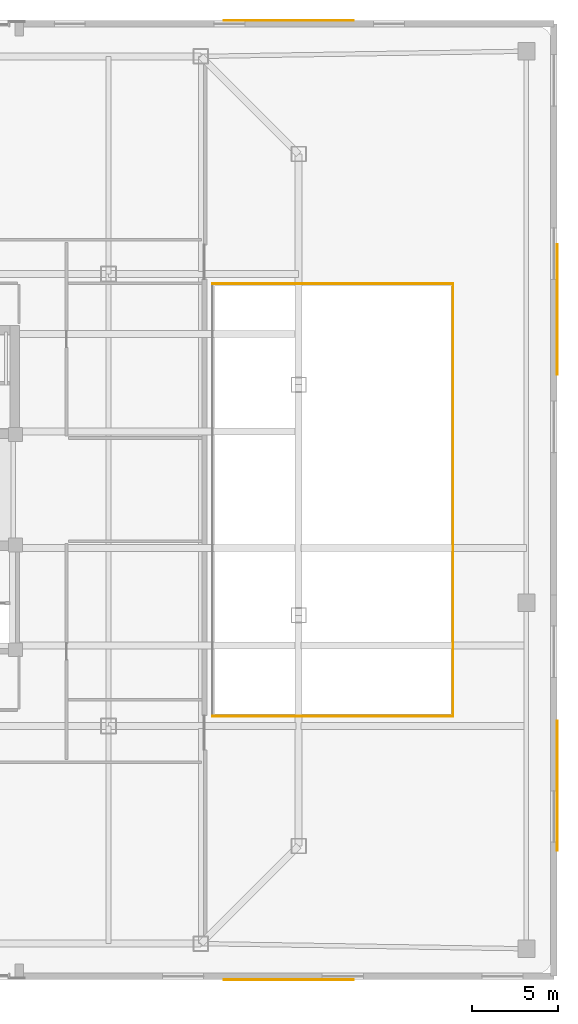
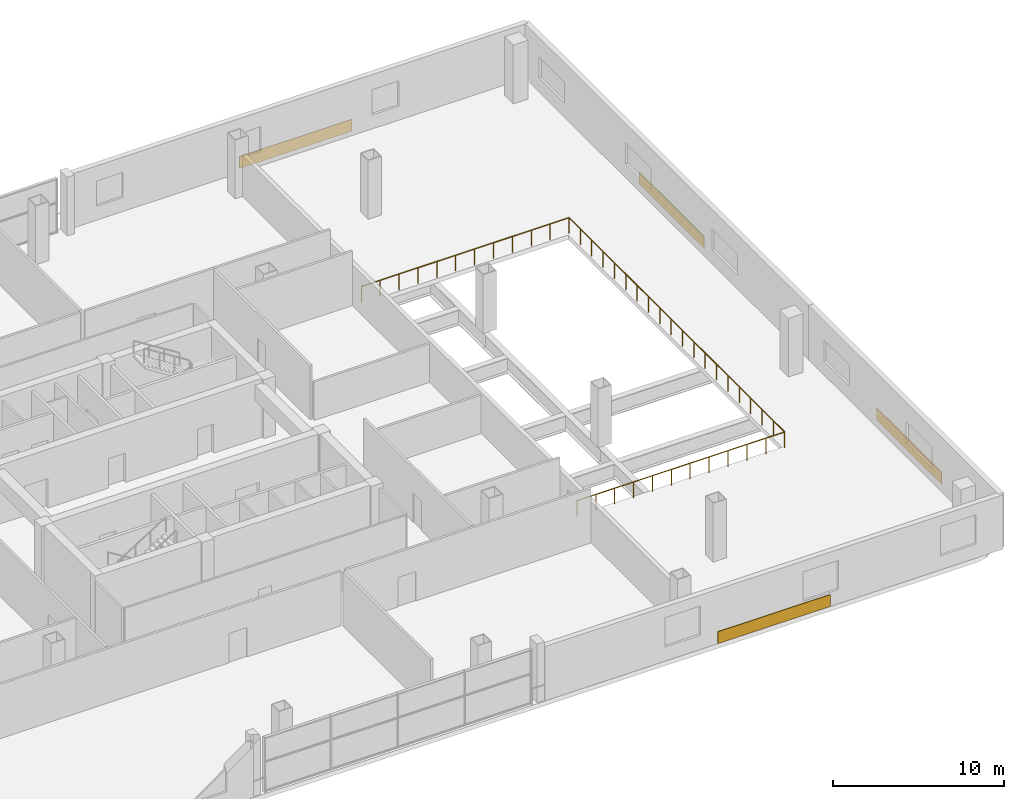
# One storey, part 21 of 21: 4 coverings, 3 railings.
"""IFC4 building model written with IfcOpenShell, lengths in metres."""

from ifc_helpers import new_model, si_unit, direction, frame, origin, origin_2d, place, context, subcontext, project, spatial, rectangle, extrude, material, layer, layer_set, type_object, element, save


model = new_model("IFC4")

# Units and contexts
model_context = context("Model", 3, precision=1e-05, world=origin(), true_north=direction((0.0, 1.0)))
body_context = subcontext(model_context, "Body", "Model", "MODEL_VIEW")
ifc_project = project(units=[si_unit("LENGTHUNIT", "METRE"), si_unit("AREAUNIT", "SQUARE_METRE"), si_unit("VOLUMEUNIT", "CUBIC_METRE"), si_unit("PLANEANGLEUNIT", "RADIAN"), si_unit("MASSUNIT", "GRAM", prefix="KILO")], contexts=[model_context])

# Site, building, storey
site_placement = place(None, origin())
site = spatial("IfcSite", under=ifc_project, at=site_placement, CompositionType="ELEMENT")
building_placement = place(site_placement, origin())
building = spatial("IfcBuilding", under=site, at=building_placement, Name="Qhalaya Broadcast Tower", CompositionType="ELEMENT")
storey_placement = place(building_placement, frame((0.0, 0.0, 9.300048828125)))
storey = spatial("IfcBuildingStorey", under=building, at=storey_placement, Name="L02", CompositionType="ELEMENT", Elevation=9.300048828125)

# Coverings
ifc_material_1 = material(Name="Fired Architectural Terracotta", Category="masonry")
ifc_layer = layer(ifc_material_1, 0.044921875, Name="Fired Architectural Terracotta")
ifc_layer_set = layer_set([ifc_layer], Name="Fired Architectural Terracotta")
covering_type = type_object("IfcCoveringType", Name="Polychrome Terracotta Rainscreen Cladding CLD-01", PredefinedType="CLADDING", material=ifc_layer_set)
for number, where, z_axis, x_axis, name in (
    (1, (25.320068359375, -28.0, 0.02490234375), (0.0, 0.0, 1.0), (-1.0, 0.0, 0.0), "L02 Terracotta Spandrel Cladding EW-SE"),
    (2, (25.320068359375, 28.0, 0.02490234375), (0.0, 0.0, 1.0), (1.0, 0.0, 0.0), "L02 Terracotta Spandrel Cladding EW-NE"),
    (3, (41.0, -16.675048828125, 0.02490234375), (0.0, 0.0, 1.0), (0.0, -1.0, 0.0), "L02 Terracotta Spandrel Cladding EW-ES"),
    (4, (41.0, 11.125, 0.02490234375), (0.0, 0.0, 1.0), (0.0, -1.0, 0.0), "L02 Terracotta Spandrel Cladding EW-EN"),
):
    element("IfcCovering", number, at=place(storey_placement, frame(where, z_axis=z_axis, x_axis=x_axis)), inside=storey, type_object=covering_type, Name=name, PredefinedType="CLADDING", context=body_context, shape_type="SweptSolid", body=[
        extrude(rectangle(XDim=7.60009765625, YDim=0.044921875, at=origin_2d()), origin(), (0.0, 0.0, 1.0), 0.85009765625),
    ])

# Railings
ifc_material_2 = material(Name="Powder-Coated Galvanised Steel", Category="steel")
railing_type = type_object("IfcRailingType", Name="Stair Well & Landing Guardrail 1100", PredefinedType="GUARDRAIL", material=ifc_material_2)
railing_1_placement = place(storey_placement, frame((20.8798828125, -12.6201171875, 0.0)))
element("IfcRailing", 5, at=railing_1_placement, inside=storey, type_object=railing_type, Name="L02 Soundstage Acoustic Void Safety Guard STVE-1", PredefinedType="GUARDRAIL", context=body_context, shape_type="SweptSolid", body=[
    extrude(rectangle(XDim=0.048095703125, YDim=0.048095703125, at=origin_2d()), frame((0.0, 0.0, 1.1259765625), z_axis=(1.0, 0.0, 0.0), x_axis=(0.0, 1.0, 0.0)), (0.0, 0.0, 1.0), 14.0400390625),
    extrude(rectangle(XDim=0.0419921875, YDim=0.0419921875, at=origin_2d()), origin(), (0.0, 0.0, 1.0), 1.099853515625),
    extrude(rectangle(XDim=0.0419921875, YDim=0.0419921875, at=origin_2d()), frame((1.2763671875, 0.0, 0.0)), (0.0, 0.0, 1.0), 1.099853515625),
    extrude(rectangle(XDim=0.0419921875, YDim=0.0419921875, at=origin_2d()), frame((2.552734375, 0.0, 0.0)), (0.0, 0.0, 1.0), 1.099853515625),
    extrude(rectangle(XDim=0.0419921875, YDim=0.0419921875, at=origin_2d()), frame((3.8291015625, 0.0, 0.0)), (0.0, 0.0, 1.0), 1.099853515625),
    extrude(rectangle(XDim=0.0419921875, YDim=0.0419921875, at=origin_2d()), frame((5.10546875, 0.0, 0.0)), (0.0, 0.0, 1.0), 1.099853515625),
    extrude(rectangle(XDim=0.0419921875, YDim=0.0419921875, at=origin_2d()), frame((6.3818359375, 0.0, 0.0)), (0.0, 0.0, 1.0), 1.099853515625),
    extrude(rectangle(XDim=0.0419921875, YDim=0.0419921875, at=origin_2d()), frame((7.658203125, 0.0, 0.0)), (0.0, 0.0, 1.0), 1.099853515625),
    extrude(rectangle(XDim=0.0419921875, YDim=0.0419921875, at=origin_2d()), frame((8.9345703125, 0.0, 0.0)), (0.0, 0.0, 1.0), 1.099853515625),
    extrude(rectangle(XDim=0.0419921875, YDim=0.0419921875, at=origin_2d()), frame((10.2109375, 0.0, 0.0)), (0.0, 0.0, 1.0), 1.099853515625),
    extrude(rectangle(XDim=0.0419921875, YDim=0.0419921875, at=origin_2d()), frame((11.4873046875, 0.0, 0.0)), (0.0, 0.0, 1.0), 1.099853515625),
    extrude(rectangle(XDim=0.0419921875, YDim=0.0419921875, at=origin_2d()), frame((12.763671875, 0.0, 0.0)), (0.0, 0.0, 1.0), 1.099853515625),
    extrude(rectangle(XDim=0.0419921875, YDim=0.0419921875, at=origin_2d()), frame((14.0400390625, 0.0, 0.0)), (0.0, 0.0, 1.0), 1.099853515625),
])
railing_2_placement = place(storey_placement, frame((34.919921875, -12.6201171875, 0.0)))
element("IfcRailing", 6, at=railing_2_placement, inside=storey, type_object=railing_type, Name="L02 Soundstage Acoustic Void Safety Guard STVE-2", PredefinedType="GUARDRAIL", context=body_context, shape_type="SweptSolid", body=[
    extrude(rectangle(XDim=0.048095703125, YDim=0.048095703125, at=origin_2d()), frame((0.0, 0.0, 1.1259765625), z_axis=(0.0, 1.0, 0.0), x_axis=(-1.0, 0.0, 0.0)), (0.0, 0.0, 1.0), 25.240234375),
    extrude(rectangle(XDim=0.0419921875, YDim=0.0419921875, at=origin_2d()), origin(), (0.0, 0.0, 1.0), 1.099853515625),
    extrude(rectangle(XDim=0.0419921875, YDim=0.0419921875, at=origin_2d()), frame((0.0, 1.328369140625, 0.0)), (0.0, 0.0, 1.0), 1.099853515625),
    extrude(rectangle(XDim=0.0419921875, YDim=0.0419921875, at=origin_2d()), frame((0.0, 2.656982421875, 0.0)), (0.0, 0.0, 1.0), 1.099853515625),
    extrude(rectangle(XDim=0.0419921875, YDim=0.0419921875, at=origin_2d()), frame((0.0, 3.9853515625, 0.0)), (0.0, 0.0, 1.0), 1.099853515625),
    extrude(rectangle(XDim=0.0419921875, YDim=0.0419921875, at=origin_2d()), frame((0.0, 5.313720703125, 0.0)), (0.0, 0.0, 1.0), 1.099853515625),
    extrude(rectangle(XDim=0.0419921875, YDim=0.0419921875, at=origin_2d()), frame((0.0, 6.64208984375, 0.0)), (0.0, 0.0, 1.0), 1.099853515625),
    extrude(rectangle(XDim=0.0419921875, YDim=0.0419921875, at=origin_2d()), frame((0.0, 7.970703125, 0.0)), (0.0, 0.0, 1.0), 1.099853515625),
    extrude(rectangle(XDim=0.0419921875, YDim=0.0419921875, at=origin_2d()), frame((0.0, 9.299072265625, 0.0)), (0.0, 0.0, 1.0), 1.099853515625),
    extrude(rectangle(XDim=0.0419921875, YDim=0.0419921875, at=origin_2d()), frame((0.0, 10.62744140625, 0.0)), (0.0, 0.0, 1.0), 1.099853515625),
    extrude(rectangle(XDim=0.0419921875, YDim=0.0419921875, at=origin_2d()), frame((0.0, 11.955810546875, 0.0)), (0.0, 0.0, 1.0), 1.099853515625),
    extrude(rectangle(XDim=0.0419921875, YDim=0.0419921875, at=origin_2d()), frame((0.0, 13.284423828125, 0.0)), (0.0, 0.0, 1.0), 1.099853515625),
    extrude(rectangle(XDim=0.0419921875, YDim=0.0419921875, at=origin_2d()), frame((0.0, 14.61279296875, 0.0)), (0.0, 0.0, 1.0), 1.099853515625),
    extrude(rectangle(XDim=0.0419921875, YDim=0.0419921875, at=origin_2d()), frame((0.0, 15.941162109375, 0.0)), (0.0, 0.0, 1.0), 1.099853515625),
    extrude(rectangle(XDim=0.0419921875, YDim=0.0419921875, at=origin_2d()), frame((0.0, 17.26953125, 0.0)), (0.0, 0.0, 1.0), 1.099853515625),
    extrude(rectangle(XDim=0.0419921875, YDim=0.0419921875, at=origin_2d()), frame((0.0, 18.59814453125, 0.0)), (0.0, 0.0, 1.0), 1.099853515625),
    extrude(rectangle(XDim=0.0419921875, YDim=0.0419921875, at=origin_2d()), frame((0.0, 19.926513671875, 0.0)), (0.0, 0.0, 1.0), 1.099853515625),
    extrude(rectangle(XDim=0.0419921875, YDim=0.0419921875, at=origin_2d()), frame((0.0, 21.2548828125, 0.0)), (0.0, 0.0, 1.0), 1.099853515625),
    extrude(rectangle(XDim=0.0419921875, YDim=0.0419921875, at=origin_2d()), frame((0.0, 22.583251953125, 0.0)), (0.0, 0.0, 1.0), 1.099853515625),
    extrude(rectangle(XDim=0.0419921875, YDim=0.0419921875, at=origin_2d()), frame((0.0, 23.911865234375, 0.0)), (0.0, 0.0, 1.0), 1.099853515625),
    extrude(rectangle(XDim=0.0419921875, YDim=0.0419921875, at=origin_2d()), frame((0.0, 25.240234375, 0.0)), (0.0, 0.0, 1.0), 1.099853515625),
])
railing_3_placement = place(storey_placement, frame((34.919921875, 12.6201171875, 0.0)))
element("IfcRailing", 7, at=railing_3_placement, inside=storey, type_object=railing_type, Name="L02 Soundstage Acoustic Void Safety Guard STVE-3", PredefinedType="GUARDRAIL", context=body_context, shape_type="SweptSolid", body=[
    extrude(rectangle(XDim=0.048095703125, YDim=0.048095703125, at=origin_2d()), frame((0.0, 0.0, 1.1259765625), z_axis=(-1.0, 0.0, 0.0), x_axis=(0.0, -1.0, 0.0)), (0.0, 0.0, 1.0), 14.0400390625),
    extrude(rectangle(XDim=0.0419921875, YDim=0.0419921875, at=origin_2d()), origin(), (0.0, 0.0, 1.0), 1.099853515625),
    extrude(rectangle(XDim=0.0419921875, YDim=0.0419921875, at=origin_2d()), frame((-1.2763671875, 0.0, 0.0)), (0.0, 0.0, 1.0), 1.099853515625),
    extrude(rectangle(XDim=0.0419921875, YDim=0.0419921875, at=origin_2d()), frame((-2.552734375, 0.0, 0.0)), (0.0, 0.0, 1.0), 1.099853515625),
    extrude(rectangle(XDim=0.0419921875, YDim=0.0419921875, at=origin_2d()), frame((-3.8291015625, 0.0, 0.0)), (0.0, 0.0, 1.0), 1.099853515625),
    extrude(rectangle(XDim=0.0419921875, YDim=0.0419921875, at=origin_2d()), frame((-5.10546875, 0.0, 0.0)), (0.0, 0.0, 1.0), 1.099853515625),
    extrude(rectangle(XDim=0.0419921875, YDim=0.0419921875, at=origin_2d()), frame((-6.3818359375, 0.0, 0.0)), (0.0, 0.0, 1.0), 1.099853515625),
    extrude(rectangle(XDim=0.0419921875, YDim=0.0419921875, at=origin_2d()), frame((-7.658203125, 0.0, 0.0)), (0.0, 0.0, 1.0), 1.099853515625),
    extrude(rectangle(XDim=0.0419921875, YDim=0.0419921875, at=origin_2d()), frame((-8.9345703125, 0.0, 0.0)), (0.0, 0.0, 1.0), 1.099853515625),
    extrude(rectangle(XDim=0.0419921875, YDim=0.0419921875, at=origin_2d()), frame((-10.2109375, 0.0, 0.0)), (0.0, 0.0, 1.0), 1.099853515625),
    extrude(rectangle(XDim=0.0419921875, YDim=0.0419921875, at=origin_2d()), frame((-11.4873046875, 0.0, 0.0)), (0.0, 0.0, 1.0), 1.099853515625),
    extrude(rectangle(XDim=0.0419921875, YDim=0.0419921875, at=origin_2d()), frame((-12.763671875, 0.0, 0.0)), (0.0, 0.0, 1.0), 1.099853515625),
    extrude(rectangle(XDim=0.0419921875, YDim=0.0419921875, at=origin_2d()), frame((-14.0400390625, 0.0, 0.0)), (0.0, 0.0, 1.0), 1.099853515625),
])

save(model, "model.ifc")
